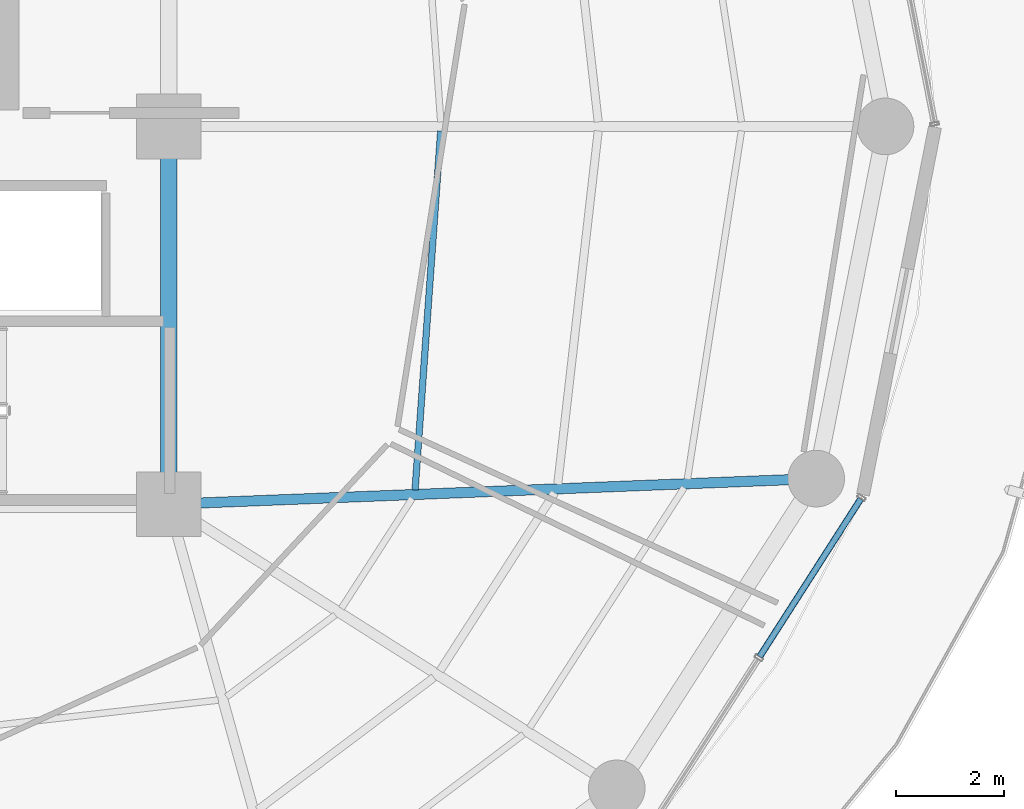
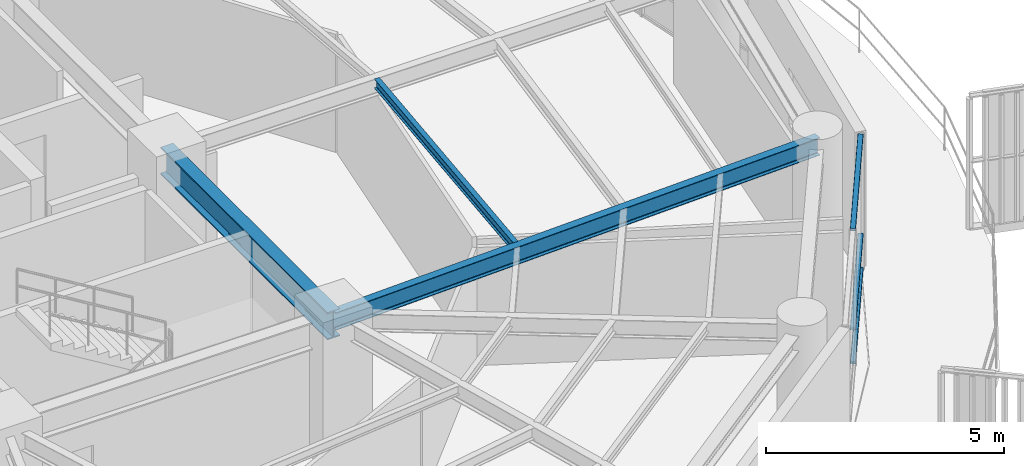
# One storey, part 12 of 30: 3 beams, 3 members, 1 element without a shape of its own.
"""IFC4 building model written with IfcOpenShell, lengths in metres."""

from ifc_helpers import new_model, si_unit, direction, frame, origin, origin_2d, place, context, subcontext, project, spatial, hollow_rectangle, i_section, extrude, material, layer, layer_set, material_profile, profile_set, type_object, element, aggregate, save


model = new_model("IFC4")

# Units and contexts
model_context = context("Model", 3, precision=1e-05, world=origin(), true_north=direction((0.0, 1.0)))
body_context = subcontext(model_context, "Body", "Model", "MODEL_VIEW")
ifc_project = project(units=[si_unit("LENGTHUNIT", "METRE"), si_unit("AREAUNIT", "SQUARE_METRE"), si_unit("VOLUMEUNIT", "CUBIC_METRE"), si_unit("PLANEANGLEUNIT", "RADIAN"), si_unit("MASSUNIT", "GRAM", prefix="KILO")], contexts=[model_context])

# Site, building, storey
site_placement = place(None, origin())
site = spatial("IfcSite", under=ifc_project, at=site_placement, CompositionType="ELEMENT")
building_placement = place(site_placement, origin())
building = spatial("IfcBuilding", under=site, at=building_placement, Name="Kelanora Arch Commons", CompositionType="ELEMENT")
storey_placement = place(building_placement, frame((0.0, 0.0, 211.949951171875)))
storey = spatial("IfcBuildingStorey", under=building, at=storey_placement, Name="L54", CompositionType="ELEMENT", Elevation=211.949951171875)

# Beams
ifc_material_1 = material(Name="Steel S355", Category="steel")
ifc_material_profile_1 = material_profile(ifc_material_1, i_section(OverallWidth=0.300048828125, OverallDepth=0.699951171875, WebThickness=0.01708984375, FlangeThickness=0.031982421875, FilletRadius=0.027099609375, at=origin_2d()), Name="HEB700")
ifc_profile_set_1 = profile_set([ifc_material_profile_1], Name="Steel S355")
beam_type_1 = type_object("IfcBeamType", Name="BM-CORE-HDR", PredefinedType="BEAM", material=ifc_profile_set_1)
beam_1_placement = place(storey_placement, frame((82.0, 51.0, 3.14013671875), z_axis=(0.0, 1.0, 0.0), x_axis=(-1.0, 0.0, 0.0)))
element("IfcBeam", 1, at=beam_1_placement, inside=storey, type_object=beam_type_1, Name="Core Header Beam 03 L54", PredefinedType="BEAM", context=body_context, shape_type="SweptSolid", body=[
    extrude(i_section(OverallWidth=0.300048828125, OverallDepth=0.699951171875, WebThickness=0.01708984375, FlangeThickness=0.031982421875, FilletRadius=0.027099609375, at=origin_2d()), origin(), (0.0, 0.0, 1.0), 7.0),
])
ifc_material_profile_2 = material_profile(ifc_material_1, i_section(OverallWidth=0.1201171875, OverallDepth=0.239990234375, WebThickness=0.006103515625, FlangeThickness=0.009765625, FilletRadius=0.014892578125, at=origin_2d()), Name="IPE240")
ifc_profile_set_2 = profile_set([ifc_material_profile_2], Name="Steel S355")
beam_type_2 = type_object("IfcBeamType", Name="BM-JST-02", PredefinedType="JOIST", material=ifc_profile_set_2)
beam_2_placement = place(storey_placement, frame((86.564697265625, 51.264892578125, 3.3701171875), z_axis=(0.07133032136, 0.997452748382, 0.0), x_axis=(-0.997452748382, 0.07133032136, 0.0)))
element("IfcBeam", 2, at=beam_2_placement, inside=storey, type_object=beam_type_2, Name="Secondary Chord Joist BJA-34 L54", PredefinedType="JOIST", context=body_context, shape_type="SweptSolid", body=[
    extrude(i_section(OverallWidth=0.1201171875, OverallDepth=0.239990234375, WebThickness=0.006103515625, FlangeThickness=0.009765625, FilletRadius=0.014892578125, at=origin_2d()), origin(), (0.0, 0.0, 1.0), 6.66748046875),
])
ifc_material_profile_3 = material_profile(ifc_material_1, i_section(OverallWidth=0.18994140625, OverallDepth=0.449951171875, WebThickness=0.009521484375, FlangeThickness=0.0146484375, FilletRadius=0.02099609375, at=origin_2d()), Name="IPE450")
ifc_profile_set_3 = profile_set([ifc_material_profile_3], Name="Steel S355")
beam_type_3 = type_object("IfcBeamType", Name="BM-RAD-Z4", PredefinedType="BEAM", material=ifc_profile_set_3)
beam_3_placement = place(storey_placement, frame((82.0, 51.0, 3.26513671875), z_axis=(0.999219142585, 0.03951082246, 0.0), x_axis=(-0.03951082246, 0.999219142585, 0.0)))
element("IfcBeam", 3, at=beam_3_placement, inside=storey, type_object=beam_type_3, Name="Radial Floor Girder BR-34 L54", PredefinedType="BEAM", context=body_context, shape_type="SweptSolid", body=[
    extrude(i_section(OverallWidth=0.18994140625, OverallDepth=0.449951171875, WebThickness=0.009521484375, FlangeThickness=0.0146484375, FilletRadius=0.02099609375, at=origin_2d()), origin(), (0.0, 0.0, 1.0), 12.005859375),
])

# Curtain wall, members
ifc_material_2 = material(Name="Terracotta ceramic-fritted low-E glass and aluminium", Category="masonry")
ifc_layer = layer(ifc_material_2, 0.175048828125)
ifc_layer_set = layer_set([ifc_layer], Name="Terracotta ceramic-fritted low-E glass and aluminium")
curtain_wall_type = type_object("IfcCurtainWallType", Name="CW-SYS-02", PredefinedType="NOTDEFINED", material=ifc_layer_set)
curtain_wall_placement = place(storey_placement, origin())
curtain_wall = element("IfcCurtainWall", 4, at=curtain_wall_placement, inside=storey, type_object=curtain_wall_type, Name="Unitised Curtain Wall L54-B16", PredefinedType="NOTDEFINED")
ifc_material_3 = material(Name="Powder-coated aluminium terracotta", Category="masonry")
ifc_material_profile_4 = material_profile(ifc_material_3, hollow_rectangle(XDim=0.1201171875, YDim=0.06005859375, WallThickness=0.0048828125, InnerFilletRadius=0.0048828125, OuterFilletRadius=0.010009765625, at=origin_2d()), Name="CWT120x60")
ifc_profile_set_4 = profile_set([ifc_material_profile_4], Name="Powder-coated aluminium terracotta")
member_type = type_object("IfcMemberType", Name="CWT-STD", PredefinedType="USERDEFINED", material=ifc_profile_set_4)
member_1_placement = place(storey_placement, frame((92.949951171875, 48.17724609375, 0.030029296875), z_axis=(0.539579095642, 0.84193491408, 0.0), x_axis=(-0.84193491408, 0.539579095642, 0.0)))
member_1 = element("IfcMember", 5, at=member_1_placement, type_object=member_type, Name="CW-02 transom 2.1", ObjectType="TRANSOM", PredefinedType="USERDEFINED", context=body_context, shape_type="SweptSolid", body=[
    extrude(hollow_rectangle(XDim=0.1201171875, YDim=0.06005859375, WallThickness=0.0048828125, InnerFilletRadius=0.0048828125, OuterFilletRadius=0.010009765625, at=origin_2d()), origin(), (0.0, 0.0, 1.0), 3.46728515625),
])
member_2_placement = place(storey_placement, frame((92.949951171875, 48.17724609375, 0.900146484375), z_axis=(0.539579095642, 0.84193491408, 0.0), x_axis=(-0.84193491408, 0.539579095642, 0.0)))
member_2 = element("IfcMember", 6, at=member_2_placement, type_object=member_type, Name="CW-02 transom 2.2", ObjectType="TRANSOM", PredefinedType="USERDEFINED", context=body_context, shape_type="SweptSolid", body=[
    extrude(hollow_rectangle(XDim=0.1201171875, YDim=0.06005859375, WallThickness=0.0048828125, InnerFilletRadius=0.0048828125, OuterFilletRadius=0.010009765625, at=origin_2d()), origin(), (0.0, 0.0, 1.0), 3.46728515625),
])
member_3_placement = place(storey_placement, frame((92.949951171875, 48.17724609375, 3.445068359375), z_axis=(0.539579095642, 0.84193491408, 0.0), x_axis=(-0.84193491408, 0.539579095642, 0.0)))
member_3 = element("IfcMember", 7, at=member_3_placement, type_object=member_type, Name="CW-02 transom 2.3", ObjectType="TRANSOM", PredefinedType="USERDEFINED", context=body_context, shape_type="SweptSolid", body=[
    extrude(hollow_rectangle(XDim=0.1201171875, YDim=0.06005859375, WallThickness=0.0048828125, InnerFilletRadius=0.0048828125, OuterFilletRadius=0.010009765625, at=origin_2d()), origin(), (0.0, 0.0, 1.0), 3.46728515625),
])
aggregate(curtain_wall, [member_1, member_2, member_3])

save(model, "model.ifc")
